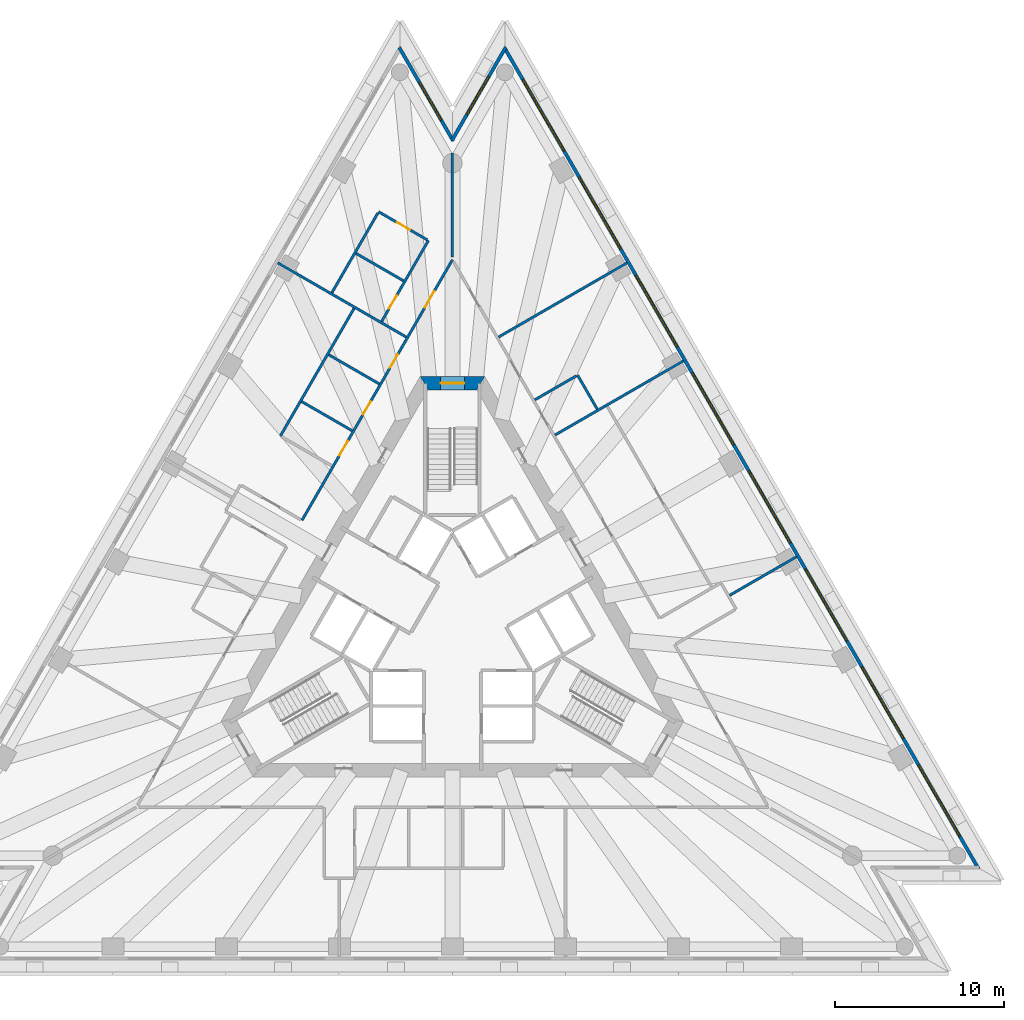
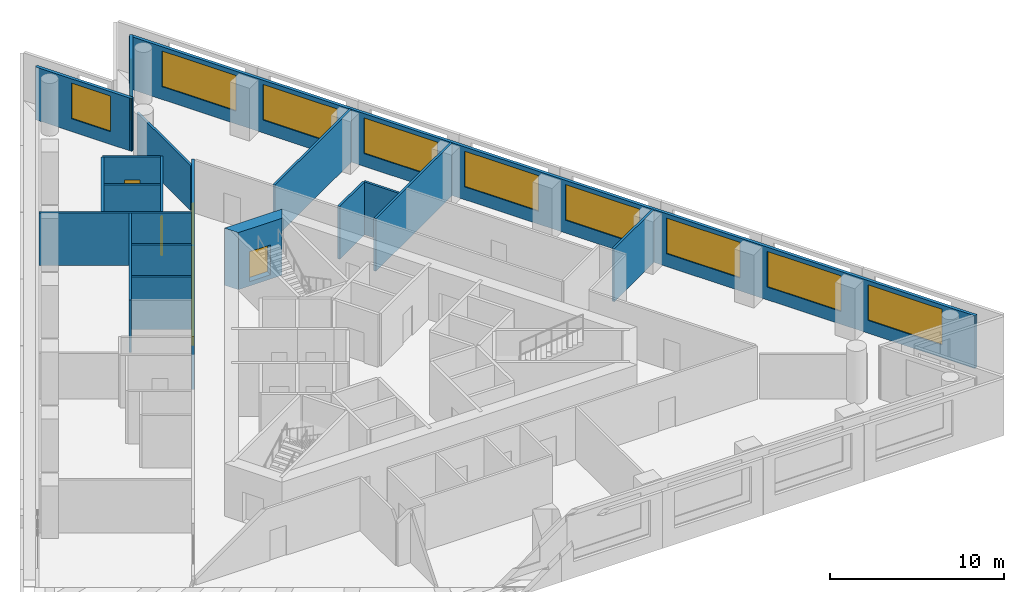
# One storey, part 6 of 9: 19 walls, 10 windows, 7 doors, 17 openings.
"""IFC4 building model written with IfcOpenShell, lengths in metres."""

from ifc_helpers import new_model, si_unit, direction, frame, frame_2d, origin, place, context, subcontext, project, spatial, polyline, rectangle, outline, extrude, material, layer, layer_set, layer_usage, type_object, element, fill, save


model = new_model("IFC4")

# Units and contexts
model_context = context("Model", 3, precision=1e-05, world=origin(), true_north=direction((0.0, 1.0)))
body_context = subcontext(model_context, "Body", "Model", "MODEL_VIEW")
ifc_project = project(units=[si_unit("LENGTHUNIT", "METRE"), si_unit("AREAUNIT", "SQUARE_METRE"), si_unit("VOLUMEUNIT", "CUBIC_METRE"), si_unit("PLANEANGLEUNIT", "RADIAN"), si_unit("MASSUNIT", "GRAM", prefix="KILO")], contexts=[model_context])

# Site, building, storey
site_placement = place(None, origin())
site = spatial("IfcSite", under=ifc_project, at=site_placement, CompositionType="ELEMENT")
building_placement = place(site_placement, origin())
building = spatial("IfcBuilding", under=site, at=building_placement, Name="Triada Interchange Tower", CompositionType="ELEMENT")
storey_placement = place(building_placement, frame((0.0, 0.0, 148.300048828125)))
storey = spatial("IfcBuildingStorey", under=building, at=storey_placement, Name="L34", CompositionType="ELEMENT", Elevation=148.300048828125)

# Wall, opening, door
ifc_material_1 = material(Name="Concrete C60/75", Category="concrete")
ifc_layer_1 = layer(ifc_material_1, 0.800048828125)
ifc_layer_set_1 = layer_set([ifc_layer_1], Name="Core wall B 800")
wall_type_1 = type_object("IfcWallType", Name="Core wall B 800", PredefinedType="SHEAR", material=ifc_layer_set_1)
wall_1_placement = place(storey_placement, frame((1.674072265625, 14.300048828125, -0.300048828125), z_axis=(0.0, 0.0, 1.0), x_axis=(-1.0, 0.0, 0.0)))
wall_1 = element("IfcWall", 1, at=wall_1_placement, inside=storey, type_object=wall_type_1, Name="Core wall WB01 L34", PredefinedType="SHEAR", context=body_context, shape_type="SweptSolid", body=[
    extrude(outline(polyline([(-0.23095703125, -0.39990234375), (1.674072265625, -0.39990234375), (3.5791015625, -0.39990234375), (3.116943359375, 0.39990234375), (1.673828125, 0.39990234375), (0.23095703125, 0.39990234375), (-0.23095703125, -0.39990234375)])), origin(), (0.0, 0.0, 1.0), 4.0),
])
opening_1_placement = place(wall_1_placement, frame((0.97412109375, 0.0, 0.300048828125)))
opening_1 = element("IfcOpeningElement", 2, at=opening_1_placement, cuts=wall_1, Name="Opening D32-35", PredefinedType="OPENING", context=body_context, shape_type="SweptSolid", body=[
    extrude(rectangle(XDim=1.39990234375, YDim=2.10009765625, at=frame_2d((0.699951171875, 1.050048828125))), frame((0.0, 0.409912109375, 0.0), z_axis=(0.0, -1.0, 0.0), x_axis=(1.0, 0.0, 0.0)), (0.0, 0.0, 1.0), 0.820068359375),
])
ifc_material_2 = material(Name="Steel S235 door leaf", Category="steel")
door_type_1 = type_object("IfcDoorType", Name="STAIR DOOR 1400 EI2 90-C5S200", OperationType="DOUBLE_DOOR_SINGLE_SWING", PredefinedType="DOOR", material=ifc_material_2)
door_1_placement = place(opening_1_placement, origin())
door_1 = element("IfcDoor", 3, at=door_1_placement, inside=storey, type_object=door_type_1, Name="Door D32-35 L34", OperationType="DOUBLE_DOOR_SINGLE_SWING", OverallHeight=2.10009765625, OverallWidth=1.39990234375, PredefinedType="DOOR", context=body_context, shape_type="SweptSolid", body=[
    extrude(rectangle(XDim=1.39990234375, YDim=2.10009765625, at=frame_2d((0.699951171875, 1.050048828125))), frame((0.0, 0.02490234375, 0.0), z_axis=(0.0, -1.0, 0.0), x_axis=(1.0, 0.0, 0.0)), (0.0, 0.0, 1.0), 0.050048828125),
])
fill(opening_1, door_1)

# Wall, openings, windows
ifc_material_3 = material(Name="Cement board")
ifc_layer_2 = layer(ifc_material_3, 0.02001953125, Name="Cement board cladding")
ifc_material_4 = material(Name="Sheathing board")
ifc_layer_3 = layer(ifc_material_4, 0.014892578125, Name="Sheathing board")
ifc_material_5 = material(Name="Mineral wool")
ifc_layer_4 = layer(ifc_material_5, 0.14990234375, Name="Mineral wool between steel studs")
ifc_material_6 = material(Name="Gypsum board")
ifc_layer_5 = layer(ifc_material_6, 0.014892578125, Name="Plasterboard lining")
ifc_layer_set_2 = layer_set([ifc_layer_2, ifc_layer_3, ifc_layer_4, ifc_layer_5], Name="External wall 200")
ifc_layer_usage = layer_usage(ifc_layer_set_2, "AXIS2", "POSITIVE", -0.10009765625)
wall_type_2 = type_object("IfcWallType", Name="External wall 200", PredefinedType="ELEMENTEDWALL", material=ifc_layer_set_2)
wall_2_placement = place(storey_placement, frame((31.1259765625, -14.43310546875, 0.0), z_axis=(0.0, 0.0, 1.0), x_axis=(-0.500008098571, 0.866020728022, 0.0)))
wall_2 = element("IfcWall", 4, at=wall_2_placement, inside=storey, type_object=wall_type_2, material=ifc_layer_usage, Name="External wall L34 NE", PredefinedType="ELEMENTEDWALL", context=body_context, shape_type="SweptSolid", body=[
    extrude(rectangle(XDim=56.10498046875, YDim=0.199951171875, at=frame_2d((28.052490234375, 0.0))), origin(), (0.0, 0.0, 1.0), 3.699951171875),
])
opening_2_placement = place(wall_2_placement, frame((2.197998046875, 0.0, 0.89990234375)))
opening_2 = element("IfcOpeningElement", 5, at=opening_2_placement, cuts=wall_2, Name="Opening WB21", PredefinedType="OPENING", context=body_context, shape_type="SweptSolid", body=[
    extrude(rectangle(XDim=4.89990234375, YDim=2.5, at=frame_2d((2.449951171875, 1.25))), frame((0.0, 0.10986328125, 0.0), z_axis=(0.0, -1.0, 0.0), x_axis=(1.0, 0.0, 0.0)), (0.0, 0.0, 1.0), 0.219970703125),
])
opening_3_placement = place(wall_2_placement, frame((8.887939453125, 0.0, 0.89990234375)))
opening_3 = element("IfcOpeningElement", 6, at=opening_3_placement, cuts=wall_2, Name="Opening WB22", PredefinedType="OPENING", context=body_context, shape_type="SweptSolid", body=[
    extrude(rectangle(XDim=4.89990234375, YDim=2.5, at=frame_2d((2.449951171875, 1.25))), frame((0.0, 0.10986328125, 0.0), z_axis=(0.0, -1.0, 0.0), x_axis=(1.0, 0.0, 0.0)), (0.0, 0.0, 1.0), 0.219970703125),
])
opening_4_placement = place(wall_2_placement, frame((15.577880859375, 0.0, 0.89990234375)))
opening_4 = element("IfcOpeningElement", 7, at=opening_4_placement, cuts=wall_2, Name="Opening WB23", PredefinedType="OPENING", context=body_context, shape_type="SweptSolid", body=[
    extrude(rectangle(XDim=4.89990234375, YDim=2.5, at=frame_2d((2.449951171875, 1.25))), frame((0.0, 0.10986328125, 0.0), z_axis=(0.0, -1.0, 0.0), x_axis=(1.0, 0.0, 0.0)), (0.0, 0.0, 1.0), 0.219970703125),
])
opening_5_placement = place(wall_2_placement, frame((22.26708984375, 0.0, 0.89990234375)))
opening_5 = element("IfcOpeningElement", 8, at=opening_5_placement, cuts=wall_2, Name="Opening WB24", PredefinedType="OPENING", context=body_context, shape_type="SweptSolid", body=[
    extrude(rectangle(XDim=4.89990234375, YDim=2.5, at=frame_2d((2.449951171875, 1.25))), frame((0.0, 0.10986328125, 0.0), z_axis=(0.0, -1.0, 0.0), x_axis=(1.0, 0.0, 0.0)), (0.0, 0.0, 1.0), 0.219970703125),
])
opening_6_placement = place(wall_2_placement, frame((28.95703125, 0.0, 0.89990234375)))
opening_6 = element("IfcOpeningElement", 9, at=opening_6_placement, cuts=wall_2, Name="Opening WB25", PredefinedType="OPENING", context=body_context, shape_type="SweptSolid", body=[
    extrude(rectangle(XDim=4.89990234375, YDim=2.5, at=frame_2d((2.449951171875, 1.25))), frame((0.0, 0.10986328125, 0.0), z_axis=(0.0, -1.0, 0.0), x_axis=(1.0, 0.0, 0.0)), (0.0, 0.0, 1.0), 0.219970703125),
])
opening_7_placement = place(wall_2_placement, frame((35.64697265625, 0.0, 0.89990234375)))
opening_7 = element("IfcOpeningElement", 10, at=opening_7_placement, cuts=wall_2, Name="Opening WB26", PredefinedType="OPENING", context=body_context, shape_type="SweptSolid", body=[
    extrude(rectangle(XDim=4.89990234375, YDim=2.5, at=frame_2d((2.449951171875, 1.25))), frame((0.0, 0.10986328125, 0.0), z_axis=(0.0, -1.0, 0.0), x_axis=(1.0, 0.0, 0.0)), (0.0, 0.0, 1.0), 0.219970703125),
])
opening_8_placement = place(wall_2_placement, frame((42.3369140625, 0.0, 0.89990234375)))
opening_8 = element("IfcOpeningElement", 11, at=opening_8_placement, cuts=wall_2, Name="Opening WB27", PredefinedType="OPENING", context=body_context, shape_type="SweptSolid", body=[
    extrude(rectangle(XDim=4.89990234375, YDim=2.5, at=frame_2d((2.449951171875, 1.25))), frame((0.0, 0.10986328125, 0.0), z_axis=(0.0, -1.0, 0.0), x_axis=(1.0, 0.0, 0.0)), (0.0, 0.0, 1.0), 0.219970703125),
])
opening_9_placement = place(wall_2_placement, frame((49.027099609375, 0.0, 0.89990234375)))
opening_9 = element("IfcOpeningElement", 12, at=opening_9_placement, cuts=wall_2, Name="Opening WB28", PredefinedType="OPENING", context=body_context, shape_type="SweptSolid", body=[
    extrude(rectangle(XDim=4.89990234375, YDim=2.5, at=frame_2d((2.449951171875, 1.25))), frame((0.0, 0.10986328125, 0.0), z_axis=(0.0, -1.0, 0.0), x_axis=(1.0, 0.0, 0.0)), (0.0, 0.0, 1.0), 0.219970703125),
])
ifc_material_7 = material(Name="Double glazed aluminium window", Category="aluminium")
window_type_1 = type_object("IfcWindowType", Name="Ribbon window B face", PartitioningType="SINGLE_PANEL", PredefinedType="WINDOW", material=ifc_material_7)
window_1_placement = place(opening_2_placement, origin())
window_1 = element("IfcWindow", 13, at=window_1_placement, inside=storey, type_object=window_type_1, Name="Window L34 NE 1", OverallHeight=2.5, OverallWidth=4.89990234375, PartitioningType="SINGLE_PANEL", PredefinedType="WINDOW", context=body_context, shape_type="SweptSolid", body=[
    extrude(rectangle(XDim=4.89990234375, YDim=2.5, at=frame_2d((2.449951171875, 1.25))), frame((0.0, 0.030029296875, 0.0), z_axis=(0.0, -1.0, 0.0), x_axis=(1.0, 0.0, 0.0)), (0.0, 0.0, 1.0), 0.06005859375),
])
fill(opening_2, window_1)
window_2_placement = place(opening_3_placement, origin())
window_2 = element("IfcWindow", 14, at=window_2_placement, inside=storey, type_object=window_type_1, Name="Window L34 NE 2", OverallHeight=2.5, OverallWidth=4.89990234375, PartitioningType="SINGLE_PANEL", PredefinedType="WINDOW", context=body_context, shape_type="SweptSolid", body=[
    extrude(rectangle(XDim=4.89990234375, YDim=2.5, at=frame_2d((2.449951171875, 1.25))), frame((0.0, 0.030029296875, 0.0), z_axis=(0.0, -1.0, 0.0), x_axis=(1.0, 0.0, 0.0)), (0.0, 0.0, 1.0), 0.06005859375),
])
fill(opening_3, window_2)
window_3_placement = place(opening_4_placement, origin())
window_3 = element("IfcWindow", 15, at=window_3_placement, inside=storey, type_object=window_type_1, Name="Window L34 NE 3", OverallHeight=2.5, OverallWidth=4.89990234375, PartitioningType="SINGLE_PANEL", PredefinedType="WINDOW", context=body_context, shape_type="SweptSolid", body=[
    extrude(rectangle(XDim=4.89990234375, YDim=2.5, at=frame_2d((2.449951171875, 1.25))), frame((0.0, 0.030029296875, 0.0), z_axis=(0.0, -1.0, 0.0), x_axis=(1.0, 0.0, 0.0)), (0.0, 0.0, 1.0), 0.06005859375),
])
fill(opening_4, window_3)
window_4_placement = place(opening_5_placement, origin())
window_4 = element("IfcWindow", 16, at=window_4_placement, inside=storey, type_object=window_type_1, Name="Window L34 NE 4", OverallHeight=2.5, OverallWidth=4.89990234375, PartitioningType="SINGLE_PANEL", PredefinedType="WINDOW", context=body_context, shape_type="SweptSolid", body=[
    extrude(rectangle(XDim=4.89990234375, YDim=2.5, at=frame_2d((2.449951171875, 1.25))), frame((0.0, 0.030029296875, 0.0), z_axis=(0.0, -1.0, 0.0), x_axis=(1.0, 0.0, 0.0)), (0.0, 0.0, 1.0), 0.06005859375),
])
fill(opening_5, window_4)
window_5_placement = place(opening_6_placement, origin())
window_5 = element("IfcWindow", 17, at=window_5_placement, inside=storey, type_object=window_type_1, Name="Window L34 NE 5", OverallHeight=2.5, OverallWidth=4.89990234375, PartitioningType="SINGLE_PANEL", PredefinedType="WINDOW", context=body_context, shape_type="SweptSolid", body=[
    extrude(rectangle(XDim=4.89990234375, YDim=2.5, at=frame_2d((2.449951171875, 1.25))), frame((0.0, 0.030029296875, 0.0), z_axis=(0.0, -1.0, 0.0), x_axis=(1.0, 0.0, 0.0)), (0.0, 0.0, 1.0), 0.06005859375),
])
fill(opening_6, window_5)
window_6_placement = place(opening_7_placement, origin())
window_6 = element("IfcWindow", 18, at=window_6_placement, inside=storey, type_object=window_type_1, Name="Window L34 NE 6", OverallHeight=2.5, OverallWidth=4.89990234375, PartitioningType="SINGLE_PANEL", PredefinedType="WINDOW", context=body_context, shape_type="SweptSolid", body=[
    extrude(rectangle(XDim=4.89990234375, YDim=2.5, at=frame_2d((2.449951171875, 1.25))), frame((0.0, 0.030029296875, 0.0), z_axis=(0.0, -1.0, 0.0), x_axis=(1.0, 0.0, 0.0)), (0.0, 0.0, 1.0), 0.06005859375),
])
fill(opening_7, window_6)
window_7_placement = place(opening_8_placement, origin())
window_7 = element("IfcWindow", 19, at=window_7_placement, inside=storey, type_object=window_type_1, Name="Window L34 NE 7", OverallHeight=2.5, OverallWidth=4.89990234375, PartitioningType="SINGLE_PANEL", PredefinedType="WINDOW", context=body_context, shape_type="SweptSolid", body=[
    extrude(rectangle(XDim=4.89990234375, YDim=2.5, at=frame_2d((2.449951171875, 1.25))), frame((0.0, 0.030029296875, 0.0), z_axis=(0.0, -1.0, 0.0), x_axis=(1.0, 0.0, 0.0)), (0.0, 0.0, 1.0), 0.06005859375),
])
fill(opening_8, window_7)
window_8_placement = place(opening_9_placement, origin())
window_8 = element("IfcWindow", 20, at=window_8_placement, inside=storey, type_object=window_type_1, Name="Window L34 NE 8", OverallHeight=2.5, OverallWidth=4.89990234375, PartitioningType="SINGLE_PANEL", PredefinedType="WINDOW", context=body_context, shape_type="SweptSolid", body=[
    extrude(rectangle(XDim=4.89990234375, YDim=2.5, at=frame_2d((2.449951171875, 1.25))), frame((0.0, 0.030029296875, 0.0), z_axis=(0.0, -1.0, 0.0), x_axis=(1.0, 0.0, 0.0)), (0.0, 0.0, 1.0), 0.06005859375),
])
fill(opening_9, window_8)

# Wall, opening, window
wall_3_placement = place(storey_placement, frame((3.153076171875, 34.172119140625, 0.0), z_axis=(0.0, 0.0, 1.0), x_axis=(-0.499968821344, -0.866043404042, 0.0)))
wall_3 = element("IfcWall", 21, at=wall_3_placement, inside=storey, type_object=wall_type_2, material=ifc_layer_usage, Name="External wall L34 N-1", PredefinedType="ELEMENTEDWALL", context=body_context, shape_type="SweptSolid", body=[
    extrude(rectangle(XDim=6.37646484375, YDim=0.199951171875, at=frame_2d((3.188232421875, 0.0))), origin(), (0.0, 0.0, 1.0), 3.699951171875),
])
opening_10_placement = place(wall_3_placement, frame((1.989990234375, 0.0, 0.89990234375)))
opening_10 = element("IfcOpeningElement", 22, at=opening_10_placement, cuts=wall_3, Name="Opening WB29", PredefinedType="OPENING", context=body_context, shape_type="SweptSolid", body=[
    extrude(rectangle(XDim=2.60009765625, YDim=2.5, at=frame_2d((1.300048828125, 1.25))), frame((0.0, 0.10986328125, 0.0), z_axis=(0.0, -1.0, 0.0), x_axis=(1.0, 0.0, 0.0)), (0.0, 0.0, 1.0), 0.219970703125),
])
window_type_2 = type_object("IfcWindowType", Name="Ribbon window B pocket", PartitioningType="SINGLE_PANEL", PredefinedType="WINDOW", material=ifc_material_7)
window_9_placement = place(opening_10_placement, origin())
window_9 = element("IfcWindow", 23, at=window_9_placement, inside=storey, type_object=window_type_2, Name="Window L34 N-1 1", OverallHeight=2.5, OverallWidth=2.60009765625, PartitioningType="SINGLE_PANEL", PredefinedType="WINDOW", context=body_context, shape_type="SweptSolid", body=[
    extrude(rectangle(XDim=2.60009765625, YDim=2.5, at=frame_2d((1.300048828125, 1.25))), frame((0.0, 0.030029296875, 0.0), z_axis=(0.0, -1.0, 0.0), x_axis=(1.0, 0.0, 0.0)), (0.0, 0.0, 1.0), 0.06005859375),
])
fill(opening_10, window_9)

wall_4_placement = place(storey_placement, frame((0.044921875, 28.633056640625, 0.0), z_axis=(0.0, 0.0, 1.0), x_axis=(-0.49998540044, 0.866033832681, 0.0)))
wall_4 = element("IfcWall", 24, at=wall_4_placement, inside=storey, type_object=wall_type_2, material=ifc_layer_usage, Name="External wall L34 N-2", PredefinedType="ELEMENTEDWALL", context=body_context, shape_type="SweptSolid", body=[
    extrude(rectangle(XDim=6.376220703125, YDim=0.199951171875, at=frame_2d((3.18798828125, 0.0))), origin(), (0.0, 0.0, 1.0), 3.699951171875),
])
opening_11_placement = place(wall_4_placement, frame((1.389892578125, 0.0, 0.89990234375)))
opening_11 = element("IfcOpeningElement", 25, at=opening_11_placement, cuts=wall_4, Name="Opening WB30", PredefinedType="OPENING", context=body_context, shape_type="SweptSolid", body=[
    extrude(rectangle(XDim=2.60009765625, YDim=2.5, at=frame_2d((1.300048828125, 1.25))), frame((0.0, 0.10986328125, 0.0), z_axis=(0.0, -1.0, 0.0), x_axis=(1.0, 0.0, 0.0)), (0.0, 0.0, 1.0), 0.219970703125),
])
window_10_placement = place(opening_11_placement, origin())
window_10 = element("IfcWindow", 26, at=window_10_placement, inside=storey, type_object=window_type_2, Name="Window L34 N-2 1", OverallHeight=2.5, OverallWidth=2.60009765625, PartitioningType="SINGLE_PANEL", PredefinedType="WINDOW", context=body_context, shape_type="SweptSolid", body=[
    extrude(rectangle(XDim=2.60009765625, YDim=2.5, at=frame_2d((1.300048828125, 1.25))), frame((0.0, 0.030029296875, 0.0), z_axis=(0.0, -1.0, 0.0), x_axis=(1.0, 0.0, 0.0)), (0.0, 0.0, 1.0), 0.06005859375),
])
fill(opening_11, window_10)

# Wall, openings, doors
ifc_material_8 = material(Name="Gypsum board partition")
ifc_layer_6 = layer(ifc_material_8, 0.14990234375)
ifc_layer_set_3 = layer_set([ifc_layer_6], Name="PARTITION 150 EI 180")
wall_type_3 = type_object("IfcWallType", Name="PARTITION 150 EI 180", PredefinedType="PARTITIONING", material=ifc_layer_set_3)
wall_5_placement = place(storey_placement, frame((-8.902099609375, 6.180908203125, 0.0), z_axis=(0.0, 0.0, 1.0), x_axis=(0.499992688384, 0.866029625107, 0.0)))
wall_5 = element("IfcWall", 27, at=wall_5_placement, inside=storey, type_object=wall_type_3, Name="Wall L32 8", PredefinedType="PARTITIONING", context=body_context, shape_type="SweptSolid", body=[
    extrude(rectangle(XDim=17.804443359375, YDim=0.14990234375, at=frame_2d((8.90234375, 0.0))), origin(), (0.0, 0.0, 1.0), 3.699951171875),
])
opening_12_placement = place(wall_5_placement, frame((14.553955078125, 0.0, 0.0)))
opening_12 = element("IfcOpeningElement", 28, at=opening_12_placement, cuts=wall_5, Name="Opening D32-23", PredefinedType="OPENING", context=body_context, shape_type="SweptSolid", body=[
    extrude(rectangle(XDim=1.10009765625, YDim=2.10009765625, at=frame_2d((0.550048828125, 1.050048828125))), frame((0.0, 0.0849609375, 0.0), z_axis=(0.0, -1.0, 0.0), x_axis=(1.0, 0.0, 0.0)), (0.0, 0.0, 1.0), 0.169921875),
])
opening_13_placement = place(wall_5_placement, frame((10.427978515625, 0.0, 0.0)))
opening_13 = element("IfcOpeningElement", 29, at=opening_13_placement, cuts=wall_5, Name="Opening D32-27", PredefinedType="OPENING", context=body_context, shape_type="SweptSolid", body=[
    extrude(rectangle(XDim=0.89990234375, YDim=2.10009765625, at=frame_2d((0.449951171875, 1.050048828125))), frame((0.0, 0.0849609375, 0.0), z_axis=(0.0, -1.0, 0.0), x_axis=(1.0, 0.0, 0.0)), (0.0, 0.0, 1.0), 0.169921875),
])
opening_14_placement = place(wall_5_placement, frame((7.22802734375, 0.0, 0.0)))
opening_14 = element("IfcOpeningElement", 30, at=opening_14_placement, cuts=wall_5, Name="Opening D32-28", PredefinedType="OPENING", context=body_context, shape_type="SweptSolid", body=[
    extrude(rectangle(XDim=0.89990234375, YDim=2.10009765625, at=frame_2d((0.449951171875, 1.050048828125))), frame((0.0, 0.0849609375, 0.0), z_axis=(0.0, -1.0, 0.0), x_axis=(1.0, 0.0, 0.0)), (0.0, 0.0, 1.0), 0.169921875),
])
opening_15_placement = place(wall_5_placement, frame((4.427978515625, 0.0, 0.0)))
opening_15 = element("IfcOpeningElement", 31, at=opening_15_placement, cuts=wall_5, Name="Opening D32-29", PredefinedType="OPENING", context=body_context, shape_type="SweptSolid", body=[
    extrude(rectangle(XDim=1.0, YDim=2.10009765625, at=frame_2d((0.5, 1.050048828125))), frame((0.0, 0.0849609375, 0.0), z_axis=(0.0, -1.0, 0.0), x_axis=(1.0, 0.0, 0.0)), (0.0, 0.0, 1.0), 0.169921875),
])
door_type_2 = type_object("IfcDoorType", Name="ROOM DOOR 1000 EI2 90-C5S200", OperationType="NOTDEFINED", PredefinedType="DOOR", material=ifc_material_2)
door_2_placement = place(opening_15_placement, origin())
door_2 = element("IfcDoor", 32, at=door_2_placement, inside=storey, type_object=door_type_2, Name="Door D32-29 L34", OperationType="SINGLE_SWING_LEFT", OverallHeight=2.10009765625, OverallWidth=1.0, PredefinedType="DOOR", context=body_context, shape_type="SweptSolid", body=[
    extrude(rectangle(XDim=1.0, YDim=2.10009765625, at=frame_2d((0.5, 1.050048828125))), frame((0.0, 0.02490234375, 0.0), z_axis=(0.0, -1.0, 0.0), x_axis=(1.0, 0.0, 0.0)), (0.0, 0.0, 1.0), 0.050048828125),
])
fill(opening_15, door_2)
door_type_3 = type_object("IfcDoorType", Name="ROOM DOOR 900 EI2 90-C5S200", OperationType="NOTDEFINED", PredefinedType="DOOR", material=ifc_material_2)
door_3_placement = place(opening_13_placement, origin())
door_3 = element("IfcDoor", 33, at=door_3_placement, inside=storey, type_object=door_type_3, Name="Door D32-27 L34", OperationType="SINGLE_SWING_RIGHT", OverallHeight=2.10009765625, OverallWidth=0.89990234375, PredefinedType="DOOR", context=body_context, shape_type="SweptSolid", body=[
    extrude(rectangle(XDim=0.89990234375, YDim=2.10009765625, at=frame_2d((0.449951171875, 1.050048828125))), frame((0.0, 0.02490234375, 0.0), z_axis=(0.0, -1.0, 0.0), x_axis=(1.0, 0.0, 0.0)), (0.0, 0.0, 1.0), 0.050048828125),
])
fill(opening_13, door_3)
door_4_placement = place(opening_14_placement, origin())
door_4 = element("IfcDoor", 34, at=door_4_placement, inside=storey, type_object=door_type_3, Name="Door D32-28 L34", OperationType="SINGLE_SWING_RIGHT", OverallHeight=2.10009765625, OverallWidth=0.89990234375, PredefinedType="DOOR", context=body_context, shape_type="SweptSolid", body=[
    extrude(rectangle(XDim=0.89990234375, YDim=2.10009765625, at=frame_2d((0.449951171875, 1.050048828125))), frame((0.0, 0.02490234375, 0.0), z_axis=(0.0, -1.0, 0.0), x_axis=(1.0, 0.0, 0.0)), (0.0, 0.0, 1.0), 0.050048828125),
])
fill(opening_14, door_4)
door_type_4 = type_object("IfcDoorType", Name="TENANCY ENTRANCE DOOR 1100 EI2 90-C5S200", OperationType="NOTDEFINED", PredefinedType="DOOR", material=ifc_material_2)
door_5_placement = place(opening_12_placement, origin())
door_5 = element("IfcDoor", 35, at=door_5_placement, inside=storey, type_object=door_type_4, Name="Door D32-23 L34", OperationType="SINGLE_SWING_RIGHT", OverallHeight=2.10009765625, OverallWidth=1.10009765625, PredefinedType="DOOR", context=body_context, shape_type="SweptSolid", body=[
    extrude(rectangle(XDim=1.10009765625, YDim=2.10009765625, at=frame_2d((0.550048828125, 1.050048828125))), frame((0.0, 0.02490234375, 0.0), z_axis=(0.0, -1.0, 0.0), x_axis=(1.0, 0.0, 0.0)), (0.0, 0.0, 1.0), 0.050048828125),
])
fill(opening_12, door_5)

# Walls
wall_6_placement = place(storey_placement, frame((-10.3349609375, 21.4169921875, 0.0), z_axis=(0.0, 0.0, 1.0), x_axis=(0.866014327354, -0.50001918445, 0.0)))
element("IfcWall", 36, at=wall_6_placement, inside=storey, type_object=wall_type_3, Name="Wall L32 18", PredefinedType="PARTITIONING", context=body_context, shape_type="SweptSolid", body=[
    extrude(rectangle(XDim=8.783935546875, YDim=0.14990234375, at=frame_2d((4.39208984375, 0.0))), origin(), (0.0, 0.0, 1.0), 3.699951171875),
])
wall_7_placement = place(storey_placement, frame((-10.180908203125, 11.1669921875, 0.0), z_axis=(0.0, 0.0, 1.0), x_axis=(0.500033294772, 0.866006180185, 0.0)))
element("IfcWall", 37, at=wall_7_placement, inside=storey, type_object=wall_type_3, Name="Wall L32 19", PredefinedType="PARTITIONING", context=body_context, shape_type="SweptSolid", body=[
    extrude(rectangle(XDim=8.72509765625, YDim=0.14990234375, at=frame_2d((4.362548828125, 0.0))), origin(), (0.0, 0.0, 1.0), 3.699951171875),
])
for number, where, z_axis, x_axis, name in (
    (38, (-8.916015625, 13.2080078125, 0.0), (0.0, 0.0, 1.0), (0.866031223622, -0.49998991961, 0.0), "Wall L32 21"),
    (39, (-7.31591796875, 15.97900390625, 0.0), (0.0, 0.0, 1.0), (0.866031223622, -0.49998991961, 0.0), "Wall L32 22"),
):
    element("IfcWall", number, at=place(storey_placement, frame(where, z_axis=z_axis, x_axis=x_axis)), inside=storey, type_object=wall_type_3, Name=name, PredefinedType="PARTITIONING", context=body_context, shape_type="SweptSolid", body=[
        extrude(rectangle(XDim=3.4501953125, YDim=0.14990234375, at=frame_2d((1.72509765625, 0.0))), origin(), (0.0, 0.0, 1.0), 3.699951171875),
    ])
wall_8_placement = place(storey_placement, frame((0.0, 21.75, 0.0), z_axis=(0.0, 0.0, 1.0), x_axis=(0.0, 1.0, 0.0)))
element("IfcWall", 40, at=wall_8_placement, inside=storey, type_object=wall_type_3, Name="Wall L32 27", PredefinedType="PARTITIONING", context=body_context, shape_type="SweptSolid", body=[
    extrude(rectangle(XDim=6.180908203125, YDim=0.14990234375, at=frame_2d((3.09033203125, 0.0))), origin(), (0.0, 0.0, 1.0), 3.14990234375),
])
wall_9_placement = place(storey_placement, frame((2.72802734375, 17.02490234375, 0.0), z_axis=(0.0, 0.0, 1.0), x_axis=(0.866014327354, 0.50001918445, 0.0)))
element("IfcWall", 41, at=wall_9_placement, inside=storey, type_object=wall_type_3, Name="Wall L32 32", PredefinedType="PARTITIONING", context=body_context, shape_type="SweptSolid", body=[
    extrude(rectangle(XDim=8.783935546875, YDim=0.14990234375, at=frame_2d((4.39208984375, 0.0))), origin(), (0.0, 0.0, 1.0), 3.699951171875),
])
wall_10_placement = place(storey_placement, frame((7.406005859375, 14.77197265625, 0.0), z_axis=(0.0, 0.0, 1.0), x_axis=(0.50029509392, -0.865854964183, 0.0)))
element("IfcWall", 42, at=wall_10_placement, inside=storey, type_object=wall_type_3, Name="Wall L32 33", PredefinedType="PARTITIONING", context=body_context, shape_type="SweptSolid", body=[
    extrude(rectangle(XDim=2.32470703125, YDim=0.14990234375, at=frame_2d((1.162353515625, 0.0))), origin(), (0.0, 0.0, 1.0), 3.699951171875),
])
wall_11_placement = place(storey_placement, frame((4.873046875, 13.31005859375, 0.0), z_axis=(0.0, 0.0, 1.0), x_axis=(0.866004402611, 0.500036373335, 0.0)))
element("IfcWall", 43, at=wall_11_placement, inside=storey, type_object=wall_type_3, Name="Wall L32 34", PredefinedType="PARTITIONING", context=body_context, shape_type="SweptSolid", body=[
    extrude(rectangle(XDim=2.849853515625, YDim=0.14990234375, at=frame_2d((1.4248046875, 0.0))), origin(), (0.0, 0.0, 1.0), 3.699951171875),
])
wall_12_placement = place(storey_placement, frame((6.072998046875, 11.23095703125, 0.0), z_axis=(0.0, 0.0, 1.0), x_axis=(0.866014327354, 0.50001918445, 0.0)))
element("IfcWall", 44, at=wall_12_placement, inside=storey, type_object=wall_type_3, Name="Wall L32 35", PredefinedType="PARTITIONING", context=body_context, shape_type="SweptSolid", body=[
    extrude(rectangle(XDim=8.783935546875, YDim=0.14990234375, at=frame_2d((4.39208984375, 0.0))), origin(), (0.0, 0.0, 1.0), 3.699951171875),
])
wall_13_placement = place(storey_placement, frame((16.39990234375, 1.743896484375, 0.0), z_axis=(0.0, 0.0, 1.0), x_axis=(0.866045467449, 0.499965247104, 0.0)))
element("IfcWall", 45, at=wall_13_placement, inside=storey, type_object=wall_type_3, Name="Wall L32 39", PredefinedType="PARTITIONING", context=body_context, shape_type="SweptSolid", body=[
    extrude(rectangle(XDim=4.584228515625, YDim=0.14990234375, at=frame_2d((2.2919921875, 0.0))), origin(), (0.0, 0.0, 1.0), 3.699951171875),
])

# Wall, opening, door
ifc_layer_7 = layer(ifc_material_8, 0.14990234375)
ifc_layer_set_4 = layer_set([ifc_layer_7], Name="PARTITION 150 EI 90")
wall_type_4 = type_object("IfcWallType", Name="PARTITION 150 EI 90", PredefinedType="PARTITIONING", material=ifc_layer_set_4)
wall_14_placement = place(storey_placement, frame((-4.18408203125, 17.952880859375, 0.0), z_axis=(0.0, 0.0, 1.0), x_axis=(0.499974945523, 0.866039868511, 0.0)))
wall_14 = element("IfcWall", 46, at=wall_14_placement, inside=storey, type_object=wall_type_4, Name="Wall L32 41", PredefinedType="PARTITIONING", context=body_context, shape_type="SweptSolid", body=[
    extrude(rectangle(XDim=5.524169921875, YDim=0.14990234375, at=frame_2d((2.76220703125, 0.0))), origin(), (0.0, 0.0, 1.0), 3.699951171875),
])
opening_16_placement = place(wall_14_placement, frame((0.8740234375, 0.0, 0.0)))
opening_16 = element("IfcOpeningElement", 47, at=opening_16_placement, cuts=wall_14, Name="Opening D32-24", PredefinedType="OPENING", context=body_context, shape_type="SweptSolid", body=[
    extrude(rectangle(XDim=0.89990234375, YDim=2.10009765625, at=frame_2d((0.449951171875, 1.050048828125))), frame((0.0, 0.0849609375, 0.0), z_axis=(0.0, -1.0, 0.0), x_axis=(1.0, 0.0, 0.0)), (0.0, 0.0, 1.0), 0.169921875),
])
door_type_5 = type_object("IfcDoorType", Name="ROOM DOOR 900 EI2 45-C5S200", OperationType="NOTDEFINED", PredefinedType="DOOR", material=ifc_material_2)
door_6_placement = place(opening_16_placement, origin())
door_6 = element("IfcDoor", 48, at=door_6_placement, inside=storey, type_object=door_type_5, Name="Door D32-24 L34", OperationType="SINGLE_SWING_LEFT", OverallHeight=2.10009765625, OverallWidth=0.89990234375, PredefinedType="DOOR", context=body_context, shape_type="SweptSolid", body=[
    extrude(rectangle(XDim=0.89990234375, YDim=2.10009765625, at=frame_2d((0.449951171875, 1.050048828125))), frame((0.0, 0.02490234375, 0.0), z_axis=(0.0, -1.0, 0.0), x_axis=(1.0, 0.0, 0.0)), (0.0, 0.0, 1.0), 0.050048828125),
])
fill(opening_16, door_6)

wall_15_placement = place(storey_placement, frame((-4.365966796875, 24.43701171875, 0.0), z_axis=(0.0, 0.0, 1.0), x_axis=(0.866029041019, -0.499993700073, 0.0)))
wall_15 = element("IfcWall", 49, at=wall_15_placement, inside=storey, type_object=wall_type_4, Name="Wall L32 42", PredefinedType="PARTITIONING", context=body_context, shape_type="SweptSolid", body=[
    extrude(rectangle(XDim=3.32421875, YDim=0.14990234375, at=frame_2d((1.662109375, 0.0))), origin(), (0.0, 0.0, 1.0), 3.699951171875),
])
opening_17_placement = place(wall_15_placement, frame((1.25, 0.0, 0.0)))
opening_17 = element("IfcOpeningElement", 50, at=opening_17_placement, cuts=wall_15, Name="Opening D32-25", PredefinedType="OPENING", context=body_context, shape_type="SweptSolid", body=[
    extrude(rectangle(XDim=0.89990234375, YDim=2.10009765625, at=frame_2d((0.449951171875, 1.050048828125))), frame((0.0, 0.0849609375, 0.0), z_axis=(0.0, -1.0, 0.0), x_axis=(1.0, 0.0, 0.0)), (0.0, 0.0, 1.0), 0.169921875),
])
door_7_placement = place(opening_17_placement, origin())
door_7 = element("IfcDoor", 51, at=door_7_placement, inside=storey, type_object=door_type_5, Name="Door D32-25 L34", OperationType="SINGLE_SWING_LEFT", OverallHeight=2.10009765625, OverallWidth=0.89990234375, PredefinedType="DOOR", context=body_context, shape_type="SweptSolid", body=[
    extrude(rectangle(XDim=0.89990234375, YDim=2.10009765625, at=frame_2d((0.449951171875, 1.050048828125))), frame((0.0, 0.02490234375, 0.0), z_axis=(0.0, -1.0, 0.0), x_axis=(1.0, 0.0, 0.0)), (0.0, 0.0, 1.0), 0.050048828125),
])
fill(opening_17, door_7)

# Walls
wall_16_placement = place(storey_placement, frame((-7.12890625, 19.653076171875, 0.0), z_axis=(0.0, 0.0, 1.0), x_axis=(0.500046929803, 0.865998307155, 0.0)))
element("IfcWall", 52, at=wall_16_placement, inside=storey, type_object=wall_type_4, Name="Wall L32 43", PredefinedType="PARTITIONING", context=body_context, shape_type="SweptSolid", body=[
    extrude(rectangle(XDim=5.44921875, YDim=0.14990234375, at=frame_2d((2.724609375, 0.0))), origin(), (0.0, 0.0, 1.0), 3.699951171875),
])
wall_17_placement = place(storey_placement, frame((-5.700927734375, 21.97509765625, 0.0), z_axis=(0.0, 0.0, 1.0), x_axis=(0.865977875238, -0.500082312822, 0.0)))
element("IfcWall", 53, at=wall_17_placement, inside=storey, type_object=wall_type_4, Name="Wall L32 44", PredefinedType="PARTITIONING", context=body_context, shape_type="SweptSolid", body=[
    extrude(rectangle(XDim=3.24951171875, YDim=0.14990234375, at=frame_2d((1.624755859375, 0.0))), origin(), (0.0, 0.0, 1.0), 3.699951171875),
])

save(model, "model.ifc")
